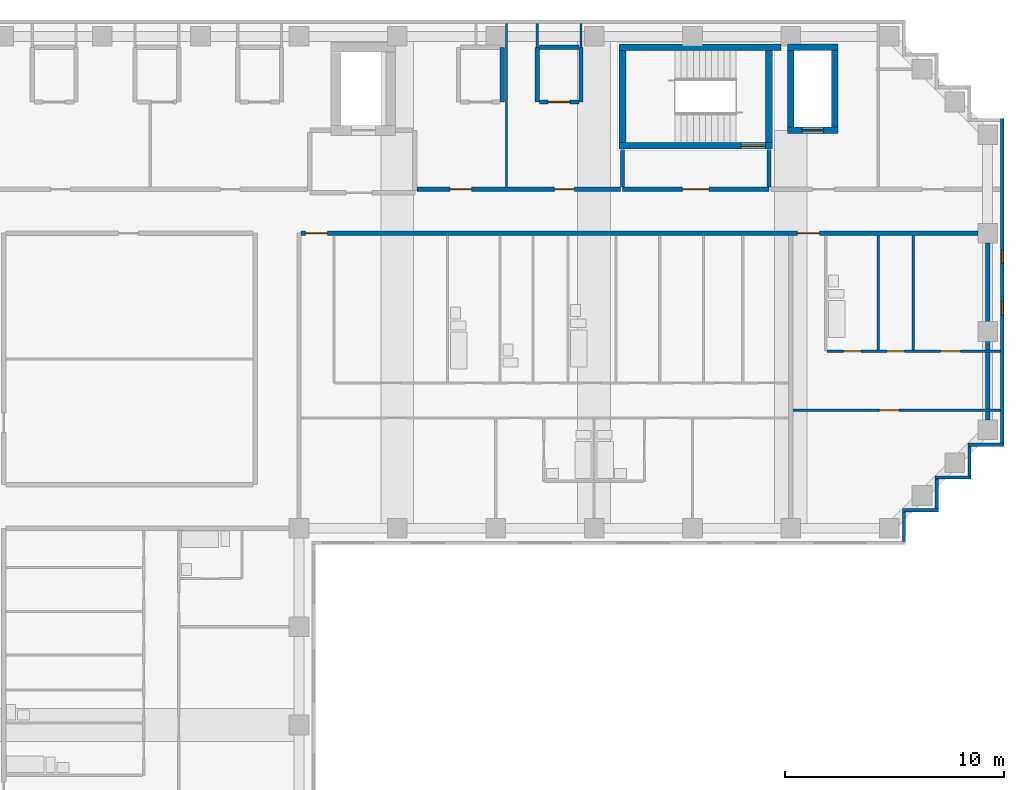
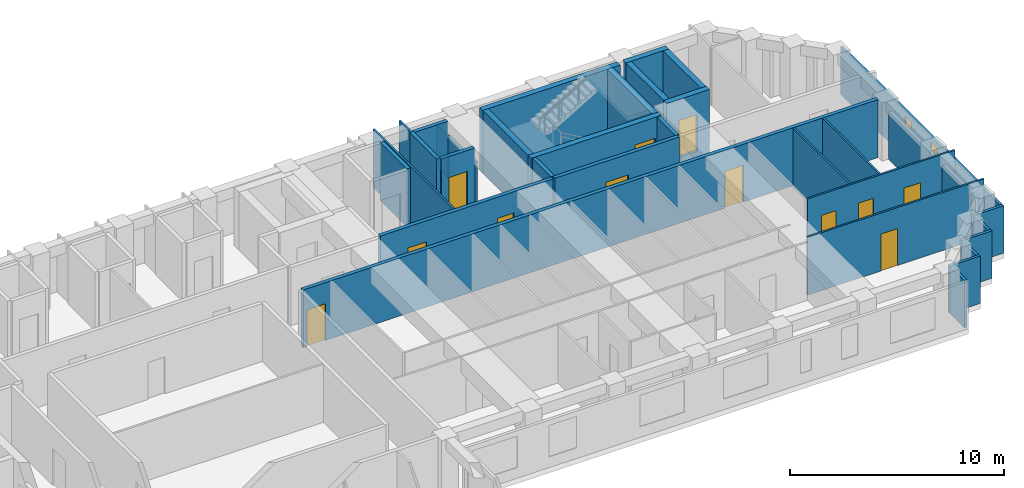
# One storey, part 7 of 10: 33 walls, 12 doors, 2 windows, 14 openings.
"""IFC4 building model written with IfcOpenShell, lengths in metres."""

from ifc_helpers import new_model, si_unit, direction, frame, frame_2d, origin, place, context, subcontext, project, spatial, rectangle, extrude, material, layer, layer_set, type_object, element, fill, save


model = new_model("IFC4")

# Units and contexts
model_context = context("Model", 3, precision=1e-05, world=origin(), true_north=direction((0.0, 1.0)))
body_context = subcontext(model_context, "Body", "Model", "MODEL_VIEW")
ifc_project = project(units=[si_unit("LENGTHUNIT", "METRE"), si_unit("AREAUNIT", "SQUARE_METRE"), si_unit("VOLUMEUNIT", "CUBIC_METRE"), si_unit("PLANEANGLEUNIT", "RADIAN"), si_unit("MASSUNIT", "GRAM", prefix="KILO")], contexts=[model_context])

# Site, building, storey
site_placement = place(None, origin())
site = spatial("IfcSite", under=ifc_project, at=site_placement, CompositionType="ELEMENT")
building_placement = place(site_placement, origin())
building = spatial("IfcBuilding", under=site, at=building_placement, Name="Firuza Court", CompositionType="ELEMENT")
storey_placement = place(building_placement, frame((0.0, 0.0, 197.0)))
storey = spatial("IfcBuildingStorey", under=building, at=storey_placement, Name="L50", CompositionType="ELEMENT", Elevation=197.0)

# Wall
ifc_material_1 = material(Name="Moisture-resistant gypsum board partition")
ifc_layer_1 = layer(ifc_material_1, 0.10009765625)
ifc_layer_set_1 = layer_set([ifc_layer_1], Name="Moisture-resistant gypsum board partition")
wall_type_1 = type_object("IfcWallType", Name="Bathroom partition 100", PredefinedType="PLUMBINGWALL", material=ifc_layer_set_1)
wall_1_placement = place(storey_placement, frame((49.0, 44.14990234375, 0.0), z_axis=(0.0, 0.0, 1.0), x_axis=(0.0, 1.0, 0.0)))
element("IfcWall", 1, at=wall_1_placement, inside=storey, type_object=wall_type_1, Name="Bathroom partition 100 L50", PredefinedType="PLUMBINGWALL", context=body_context, shape_type="SweptSolid", body=[
    extrude(rectangle(XDim=5.25, YDim=0.10009765625, at=frame_2d((2.625, 0.0))), origin(), (0.0, 0.0, 1.0), 3.300048828125),
])

# Wall, opening, door
ifc_material_2 = material(Name="Concrete C50/60", Category="concrete")
ifc_layer_2 = layer(ifc_material_2, 0.300048828125)
ifc_layer_set_2 = layer_set([ifc_layer_2], Name="Concrete C50/60")
wall_type_2 = type_object("IfcWallType", Name="Core wall 300 C50/60", PredefinedType="SHEAR", material=ifc_layer_set_2)
wall_2_placement = place(storey_placement, frame((37.14990234375, 53.5, -0.300048828125), z_axis=(0.0, 0.0, 1.0), x_axis=(1.0, 0.0, 0.0)))
wall_2 = element("IfcWall", 2, at=wall_2_placement, inside=storey, type_object=wall_type_2, Name="Core wall stair L50", PredefinedType="SHEAR", context=body_context, shape_type="SweptSolid", body=[
    extrude(rectangle(XDim=7.0, YDim=0.300048828125, at=frame_2d((3.5, 0.0))), origin(), (0.0, 0.0, 1.0), 3.60009765625),
])
opening_1_placement = place(wall_2_placement, frame((5.580078125, 0.0, 0.300048828125)))
opening_1 = element("IfcOpeningElement", 3, at=opening_1_placement, cuts=wall_2, Name="Opening D50011", PredefinedType="OPENING", context=body_context, shape_type="SweptSolid", body=[
    extrude(rectangle(XDim=1.10009765625, YDim=2.10009765625, at=frame_2d((0.550048828125, 1.050048828125))), frame((0.0, 0.162109375, 0.0), z_axis=(0.0, -1.0, 0.0), x_axis=(1.0, 0.0, 0.0)), (0.0, 0.0, 1.0), 0.323974609375),
])
ifc_material_3 = material(Name="Timber door leaf in hardwood frame", Category="wood")
door_type_1 = type_object("IfcDoorType", Name="Stair door 1100", OperationType="SINGLE_SWING_LEFT", PredefinedType="DOOR", material=ifc_material_3)
door_1_placement = place(opening_1_placement, origin())
door_1 = element("IfcDoor", 4, at=door_1_placement, inside=storey, type_object=door_type_1, Name="Stair door S1", OperationType="SINGLE_SWING_RIGHT", OverallHeight=2.10009765625, OverallWidth=1.10009765625, PredefinedType="DOOR", context=body_context, shape_type="SweptSolid", body=[
    extrude(rectangle(XDim=1.10009765625, YDim=2.10009765625, at=frame_2d((0.550048828125, 1.050048828125))), frame((0.0, 0.02490234375, 0.0), z_axis=(0.0, -1.0, 0.0), x_axis=(1.0, 0.0, 0.0)), (0.0, 0.0, 1.0), 0.050048828125),
])
fill(opening_1, door_1)

# Walls
wall_3_placement = place(storey_placement, frame((37.14990234375, 58.0, -0.300048828125), z_axis=(0.0, 0.0, 1.0), x_axis=(1.0, 0.0, 0.0)))
element("IfcWall", 5, at=wall_3_placement, inside=storey, type_object=wall_type_2, Name="Core wall stair L50", PredefinedType="SHEAR", context=body_context, shape_type="SweptSolid", body=[
    extrude(rectangle(XDim=7.400146484375, YDim=0.300048828125, at=frame_2d((3.7001953125, 0.0))), origin(), (0.0, 0.0, 1.0), 3.60009765625),
])
for number, where, z_axis, x_axis, name in (
    (6, (37.300048828125, 53.64990234375, -0.300048828125), (0.0, 0.0, 1.0), (0.0, 1.0, 0.0), "Core wall stair L50"),
    (7, (44.0, 53.64990234375, -0.300048828125), (0.0, 0.0, 1.0), (0.0, 1.0, 0.0), "Core wall stair L50"),
):
    element("IfcWall", number, at=place(storey_placement, frame(where, z_axis=z_axis, x_axis=x_axis)), inside=storey, type_object=wall_type_2, Name=name, PredefinedType="SHEAR", context=body_context, shape_type="SweptSolid", body=[
        extrude(rectangle(XDim=4.2001953125, YDim=0.300048828125, at=frame_2d((2.10009765625, 0.0))), origin(), (0.0, 0.0, 1.0), 3.60009765625),
    ])

# Wall, opening, door
wall_4_placement = place(storey_placement, frame((44.85009765625, 54.199951171875, -0.300048828125), z_axis=(0.0, 0.0, 1.0), x_axis=(1.0, 0.0, 0.0)))
wall_4 = element("IfcWall", 8, at=wall_4_placement, inside=storey, type_object=wall_type_2, Name="Core wall riser L50", PredefinedType="SHEAR", context=body_context, shape_type="SweptSolid", body=[
    extrude(rectangle(XDim=2.2998046875, YDim=0.300048828125, at=frame_2d((1.14990234375, 0.0))), origin(), (0.0, 0.0, 1.0), 3.60009765625),
])
opening_2_placement = place(wall_4_placement, frame((0.64990234375, 0.0, 0.300048828125)))
opening_2 = element("IfcOpeningElement", 9, at=opening_2_placement, cuts=wall_4, Name="Opening D50009", PredefinedType="OPENING", context=body_context, shape_type="SweptSolid", body=[
    extrude(rectangle(XDim=1.0, YDim=2.10009765625, at=frame_2d((0.5, 1.050048828125))), frame((0.0, 0.162109375, 0.0), z_axis=(0.0, -1.0, 0.0), x_axis=(1.0, 0.0, 0.0)), (0.0, 0.0, 1.0), 0.323974609375),
])
ifc_material_4 = material(Name="Timber door leaf in hardwood frame", Category="wood")
door_type_2 = type_object("IfcDoorType", Name="Riser door 1000", OperationType="SINGLE_SWING_LEFT", PredefinedType="DOOR", material=ifc_material_4)
door_2_placement = place(opening_2_placement, origin())
door_2 = element("IfcDoor", 10, at=door_2_placement, inside=storey, type_object=door_type_2, Name="Riser door R3", OperationType="SINGLE_SWING_LEFT", OverallHeight=2.10009765625, OverallWidth=1.0, PredefinedType="DOOR", context=body_context, shape_type="SweptSolid", body=[
    extrude(rectangle(XDim=1.0, YDim=2.10009765625, at=frame_2d((0.5, 1.050048828125))), frame((0.0, 0.02490234375, 0.0), z_axis=(0.0, -1.0, 0.0), x_axis=(1.0, 0.0, 0.0)), (0.0, 0.0, 1.0), 0.050048828125),
])
fill(opening_2, door_2)

# Walls
wall_5_placement = place(storey_placement, frame((44.85009765625, 58.0, -0.300048828125), z_axis=(0.0, 0.0, 1.0), x_axis=(1.0, 0.0, 0.0)))
element("IfcWall", 11, at=wall_5_placement, inside=storey, type_object=wall_type_2, Name="Core wall riser L50", PredefinedType="SHEAR", context=body_context, shape_type="SweptSolid", body=[
    extrude(rectangle(XDim=2.2998046875, YDim=0.300048828125, at=frame_2d((1.14990234375, 0.0))), origin(), (0.0, 0.0, 1.0), 3.60009765625),
])
for number, where, z_axis, x_axis, name in (
    (12, (45.0, 54.35009765625, -0.300048828125), (0.0, 0.0, 1.0), (0.0, 1.0, 0.0), "Core wall riser L50"),
    (13, (47.0, 54.35009765625, -0.300048828125), (0.0, 0.0, 1.0), (0.0, 1.0, 0.0), "Core wall riser L50"),
):
    element("IfcWall", number, at=place(storey_placement, frame(where, z_axis=z_axis, x_axis=x_axis)), inside=storey, type_object=wall_type_2, Name=name, PredefinedType="SHEAR", context=body_context, shape_type="SweptSolid", body=[
        extrude(rectangle(XDim=3.5, YDim=0.300048828125, at=frame_2d((1.75, 0.0))), origin(), (0.0, 0.0, 1.0), 3.60009765625),
    ])

# Wall, openings, doors
ifc_material_5 = material(Name="Blockwork, plastered both sides", Category="masonry")
ifc_layer_3 = layer(ifc_material_5, 0.199951171875)
ifc_layer_set_3 = layer_set([ifc_layer_3], Name="Blockwork, plastered both sides")
wall_type_3 = type_object("IfcWallType", Name="Corridor wall 200", PredefinedType="PARTITIONING", material=ifc_layer_set_3)
wall_6_placement = place(storey_placement, frame((22.60009765625, 49.5, 0.0), z_axis=(0.0, 0.0, 1.0), x_axis=(1.0, 0.0, 0.0)))
wall_6 = element("IfcWall", 14, at=wall_6_placement, inside=storey, type_object=wall_type_3, Name="Corridor wall 200 L50", PredefinedType="PARTITIONING", context=body_context, shape_type="SweptSolid", body=[
    extrude(rectangle(XDim=30.949951171875, YDim=0.199951171875, at=frame_2d((15.47509765625, 0.0))), origin(), (0.0, 0.0, 1.0), 3.300048828125),
])
opening_3_placement = place(wall_6_placement, frame((0.199951171875, 0.0, 0.0)))
opening_3 = element("IfcOpeningElement", 15, at=opening_3_placement, cuts=wall_6, Name="Opening D50057", PredefinedType="OPENING", context=body_context, shape_type="SweptSolid", body=[
    extrude(rectangle(XDim=1.0, YDim=2.10009765625, at=frame_2d((0.5, 1.050048828125))), frame((0.0, 0.11181640625, 0.0), z_axis=(0.0, -1.0, 0.0), x_axis=(1.0, 0.0, 0.0)), (0.0, 0.0, 1.0), 0.223876953125),
])
opening_4_placement = place(wall_6_placement, frame((22.699951171875, 0.0, 0.0)))
opening_4 = element("IfcOpeningElement", 16, at=opening_4_placement, cuts=wall_6, Name="Opening D50058", PredefinedType="OPENING", context=body_context, shape_type="SweptSolid", body=[
    extrude(rectangle(XDim=1.0, YDim=2.10009765625, at=frame_2d((0.5, 1.050048828125))), frame((0.0, 0.11181640625, 0.0), z_axis=(0.0, -1.0, 0.0), x_axis=(1.0, 0.0, 0.0)), (0.0, 0.0, 1.0), 0.223876953125),
])
ifc_material_6 = material(Name="Timber door leaf in hardwood frame", Category="wood")
door_type_3 = type_object("IfcDoorType", Name="Flat entrance door 1000", OperationType="SINGLE_SWING_LEFT", PredefinedType="DOOR", material=ifc_material_6)
door_3_placement = place(opening_3_placement, origin())
door_3 = element("IfcDoor", 17, at=door_3_placement, inside=storey, type_object=door_type_3, Name="Flat entrance door", OperationType="SINGLE_SWING_LEFT", OverallHeight=2.10009765625, OverallWidth=1.0, PredefinedType="DOOR", context=body_context, shape_type="SweptSolid", body=[
    extrude(rectangle(XDim=1.0, YDim=2.10009765625, at=frame_2d((0.5, 1.050048828125))), frame((0.0, 0.02490234375, 0.0), z_axis=(0.0, -1.0, 0.0), x_axis=(1.0, 0.0, 0.0)), (0.0, 0.0, 1.0), 0.050048828125),
])
fill(opening_3, door_3)
door_4_placement = place(opening_4_placement, origin())
door_4 = element("IfcDoor", 18, at=door_4_placement, inside=storey, type_object=door_type_3, Name="Flat entrance door", OperationType="SINGLE_SWING_LEFT", OverallHeight=2.10009765625, OverallWidth=1.0, PredefinedType="DOOR", context=body_context, shape_type="SweptSolid", body=[
    extrude(rectangle(XDim=1.0, YDim=2.10009765625, at=frame_2d((0.5, 1.050048828125))), frame((0.0, 0.02490234375, 0.0), z_axis=(0.0, -1.0, 0.0), x_axis=(1.0, 0.0, 0.0)), (0.0, 0.0, 1.0), 0.050048828125),
])
fill(opening_4, door_4)

wall_7_placement = place(storey_placement, frame((27.89990234375, 51.5, 0.0), z_axis=(0.0, 0.0, 1.0), x_axis=(1.0, 0.0, 0.0)))
wall_7 = element("IfcWall", 19, at=wall_7_placement, inside=storey, type_object=wall_type_3, Name="Corridor wall 200 L50", PredefinedType="PARTITIONING", context=body_context, shape_type="SweptSolid", body=[
    extrude(rectangle(XDim=9.300048828125, YDim=0.199951171875, at=frame_2d((4.64990234375, 0.0))), origin(), (0.0, 0.0, 1.0), 3.300048828125),
])
opening_5_placement = place(wall_7_placement, frame((1.5, 0.0, 0.0)))
opening_5 = element("IfcOpeningElement", 20, at=opening_5_placement, cuts=wall_7, Name="Opening D50061", PredefinedType="OPENING", context=body_context, shape_type="SweptSolid", body=[
    extrude(rectangle(XDim=1.0, YDim=2.10009765625, at=frame_2d((0.5, 1.050048828125))), frame((0.0, 0.11181640625, 0.0), z_axis=(0.0, -1.0, 0.0), x_axis=(1.0, 0.0, 0.0)), (0.0, 0.0, 1.0), 0.223876953125),
])
opening_6_placement = place(wall_7_placement, frame((6.300048828125, 0.0, 0.0)))
opening_6 = element("IfcOpeningElement", 21, at=opening_6_placement, cuts=wall_7, Name="Opening D50062", PredefinedType="OPENING", context=body_context, shape_type="SweptSolid", body=[
    extrude(rectangle(XDim=0.89990234375, YDim=2.10009765625, at=frame_2d((0.449951171875, 1.050048828125))), frame((0.0, 0.11181640625, 0.0), z_axis=(0.0, -1.0, 0.0), x_axis=(1.0, 0.0, 0.0)), (0.0, 0.0, 1.0), 0.223876953125),
])
ifc_material_7 = material(Name="Timber door leaf in hardwood frame", Category="wood")
door_type_4 = type_object("IfcDoorType", Name="Room door 900 EI 30", OperationType="SINGLE_SWING_LEFT", PredefinedType="DOOR", material=ifc_material_7)
door_5_placement = place(opening_6_placement, origin())
door_5 = element("IfcDoor", 22, at=door_5_placement, inside=storey, type_object=door_type_4, Name="Concierge room door", OperationType="SINGLE_SWING_LEFT", OverallHeight=2.10009765625, OverallWidth=0.89990234375, PredefinedType="DOOR", context=body_context, shape_type="SweptSolid", body=[
    extrude(rectangle(XDim=0.89990234375, YDim=2.10009765625, at=frame_2d((0.449951171875, 1.050048828125))), frame((0.0, 0.02490234375, 0.0), z_axis=(0.0, -1.0, 0.0), x_axis=(1.0, 0.0, 0.0)), (0.0, 0.0, 1.0), 0.050048828125),
])
fill(opening_6, door_5)
ifc_material_8 = material(Name="Timber door leaf in hardwood frame", Category="wood")
door_type_5 = type_object("IfcDoorType", Name="Store door 1000", OperationType="SINGLE_SWING_LEFT", PredefinedType="DOOR", material=ifc_material_8)
door_6_placement = place(opening_5_placement, origin())
door_6 = element("IfcDoor", 23, at=door_6_placement, inside=storey, type_object=door_type_5, Name="Cleaner's store door", OperationType="SINGLE_SWING_LEFT", OverallHeight=2.10009765625, OverallWidth=1.0, PredefinedType="DOOR", context=body_context, shape_type="SweptSolid", body=[
    extrude(rectangle(XDim=1.0, YDim=2.10009765625, at=frame_2d((0.5, 1.050048828125))), frame((0.0, 0.02490234375, 0.0), z_axis=(0.0, -1.0, 0.0), x_axis=(1.0, 0.0, 0.0)), (0.0, 0.0, 1.0), 0.050048828125),
])
fill(opening_5, door_6)

# Wall, opening, door
ifc_material_9 = material(Name="Timber stud partition, plasterboard both sides", Category="wood")
ifc_layer_4 = layer(ifc_material_9, 0.10009765625)
ifc_layer_set_4 = layer_set([ifc_layer_4], Name="Timber stud partition, plasterboard both sides")
wall_type_4 = type_object("IfcWallType", Name="Partition wall 100", PredefinedType="PARTITIONING", material=ifc_layer_set_4)
wall_8_placement = place(storey_placement, frame((45.10009765625, 41.39990234375, 0.0), z_axis=(0.0, 0.0, 1.0), x_axis=(1.0, 0.0, 0.0)))
wall_8 = element("IfcWall", 24, at=wall_8_placement, inside=storey, type_object=wall_type_4, Name="Partition wall 100 L50", PredefinedType="PARTITIONING", context=body_context, shape_type="SweptSolid", body=[
    extrude(rectangle(XDim=9.5, YDim=0.10009765625, at=frame_2d((4.75, 0.0))), origin(), (0.0, 0.0, 1.0), 3.300048828125),
])
opening_7_placement = place(wall_8_placement, frame((3.949951171875, 0.0, 0.0)))
opening_7 = element("IfcOpeningElement", 25, at=opening_7_placement, cuts=wall_8, Name="Opening D50043", PredefinedType="OPENING", context=body_context, shape_type="SweptSolid", body=[
    extrude(rectangle(XDim=0.89990234375, YDim=2.10009765625, at=frame_2d((0.449951171875, 1.050048828125))), frame((0.0, 0.06201171875, 0.0), z_axis=(0.0, -1.0, 0.0), x_axis=(1.0, 0.0, 0.0)), (0.0, 0.0, 1.0), 0.1240234375),
])
ifc_material_10 = material(Name="Timber door leaf in hardwood frame", Category="wood")
door_type_6 = type_object("IfcDoorType", Name="Room door 900", OperationType="SINGLE_SWING_LEFT", PredefinedType="DOOR", material=ifc_material_10)
door_7_placement = place(opening_7_placement, frame((0.89990234375, 0.0, 0.0), z_axis=(0.0, 0.0, 1.0), x_axis=(-1.0, 0.0, 0.0)))
door_7 = element("IfcDoor", 26, at=door_7_placement, inside=storey, type_object=door_type_6, Name="Studio room door", OperationType="SINGLE_SWING_RIGHT", OverallHeight=2.10009765625, OverallWidth=0.89990234375, PredefinedType="DOOR", context=body_context, shape_type="SweptSolid", body=[
    extrude(rectangle(XDim=0.89990234375, YDim=2.10009765625, at=frame_2d((0.449951171875, 1.050048828125))), frame((0.0, 0.02490234375, 0.0), z_axis=(0.0, -1.0, 0.0), x_axis=(1.0, 0.0, 0.0)), (0.0, 0.0, 1.0), 0.050048828125),
])
fill(opening_7, door_7)

# Wall, openings, doors
wall_9_placement = place(storey_placement, frame((46.64990234375, 44.10009765625, 0.0), z_axis=(0.0, 0.0, 1.0), x_axis=(1.0, 0.0, 0.0)))
wall_9 = element("IfcWall", 27, at=wall_9_placement, inside=storey, type_object=wall_type_4, Name="Partition wall 100 L50", PredefinedType="PARTITIONING", context=body_context, shape_type="SweptSolid", body=[
    extrude(rectangle(XDim=7.9501953125, YDim=0.10009765625, at=frame_2d((3.97509765625, 0.0))), origin(), (0.0, 0.0, 1.0), 3.300048828125),
])
opening_8_placement = place(wall_9_placement, frame((0.75, 0.0, 0.0)))
opening_8 = element("IfcOpeningElement", 28, at=opening_8_placement, cuts=wall_9, Name="Opening D50053", PredefinedType="OPENING", context=body_context, shape_type="SweptSolid", body=[
    extrude(rectangle(XDim=0.800048828125, YDim=2.10009765625, at=frame_2d((0.39990234375, 1.050048828125))), frame((0.0, 0.06201171875, 0.0), z_axis=(0.0, -1.0, 0.0), x_axis=(1.0, 0.0, 0.0)), (0.0, 0.0, 1.0), 0.1240234375),
])
opening_9_placement = place(wall_9_placement, frame((5.199951171875, 0.0, 0.0)))
opening_9 = element("IfcOpeningElement", 29, at=opening_9_placement, cuts=wall_9, Name="Opening D50054", PredefinedType="OPENING", context=body_context, shape_type="SweptSolid", body=[
    extrude(rectangle(XDim=0.89990234375, YDim=2.10009765625, at=frame_2d((0.449951171875, 1.050048828125))), frame((0.0, 0.06201171875, 0.0), z_axis=(0.0, -1.0, 0.0), x_axis=(1.0, 0.0, 0.0)), (0.0, 0.0, 1.0), 0.1240234375),
])
opening_10_placement = place(wall_9_placement, frame((2.75, 0.0, 0.0)))
opening_10 = element("IfcOpeningElement", 30, at=opening_10_placement, cuts=wall_9, Name="Opening D50055", PredefinedType="OPENING", context=body_context, shape_type="SweptSolid", body=[
    extrude(rectangle(XDim=0.800048828125, YDim=2.10009765625, at=frame_2d((0.39990234375, 1.050048828125))), frame((0.0, 0.06201171875, 0.0), z_axis=(0.0, -1.0, 0.0), x_axis=(1.0, 0.0, 0.0)), (0.0, 0.0, 1.0), 0.1240234375),
])
ifc_material_11 = material(Name="Timber door leaf in hardwood frame", Category="wood")
door_type_7 = type_object("IfcDoorType", Name="Bathroom door 800", OperationType="SINGLE_SWING_LEFT", PredefinedType="DOOR", material=ifc_material_11)
door_8_placement = place(opening_8_placement, origin())
door_8 = element("IfcDoor", 31, at=door_8_placement, inside=storey, type_object=door_type_7, Name="Bathroom door", OperationType="SINGLE_SWING_LEFT", OverallHeight=2.10009765625, OverallWidth=0.800048828125, PredefinedType="DOOR", context=body_context, shape_type="SweptSolid", body=[
    extrude(rectangle(XDim=0.800048828125, YDim=2.10009765625, at=frame_2d((0.39990234375, 1.050048828125))), frame((0.0, 0.02490234375, 0.0), z_axis=(0.0, -1.0, 0.0), x_axis=(1.0, 0.0, 0.0)), (0.0, 0.0, 1.0), 0.050048828125),
])
fill(opening_8, door_8)
ifc_material_12 = material(Name="Timber door leaf in hardwood frame", Category="wood")
door_type_8 = type_object("IfcDoorType", Name="Room door 800", OperationType="SINGLE_SWING_LEFT", PredefinedType="DOOR", material=ifc_material_12)
door_9_placement = place(opening_10_placement, origin())
door_9 = element("IfcDoor", 32, at=door_9_placement, inside=storey, type_object=door_type_8, Name="Store door", OperationType="SINGLE_SWING_LEFT", OverallHeight=2.10009765625, OverallWidth=0.800048828125, PredefinedType="DOOR", context=body_context, shape_type="SweptSolid", body=[
    extrude(rectangle(XDim=0.800048828125, YDim=2.10009765625, at=frame_2d((0.39990234375, 1.050048828125))), frame((0.0, 0.02490234375, 0.0), z_axis=(0.0, -1.0, 0.0), x_axis=(1.0, 0.0, 0.0)), (0.0, 0.0, 1.0), 0.050048828125),
])
fill(opening_10, door_9)
door_10_placement = place(opening_9_placement, origin())
door_10 = element("IfcDoor", 33, at=door_10_placement, inside=storey, type_object=door_type_6, Name="Kitchen door", OperationType="SINGLE_SWING_LEFT", OverallHeight=2.10009765625, OverallWidth=0.89990234375, PredefinedType="DOOR", context=body_context, shape_type="SweptSolid", body=[
    extrude(rectangle(XDim=0.89990234375, YDim=2.10009765625, at=frame_2d((0.449951171875, 1.050048828125))), frame((0.0, 0.02490234375, 0.0), z_axis=(0.0, -1.0, 0.0), x_axis=(1.0, 0.0, 0.0)), (0.0, 0.0, 1.0), 0.050048828125),
])
fill(opening_9, door_10)

# Walls
wall_10_placement = place(storey_placement, frame((50.60009765625, 44.14990234375, 0.0), z_axis=(0.0, 0.0, 1.0), x_axis=(0.0, 1.0, 0.0)))
element("IfcWall", 34, at=wall_10_placement, inside=storey, type_object=wall_type_4, Name="Partition wall 100 L50", PredefinedType="PARTITIONING", context=body_context, shape_type="SweptSolid", body=[
    extrude(rectangle(XDim=5.25, YDim=0.10009765625, at=frame_2d((2.625, 0.0))), origin(), (0.0, 0.0, 1.0), 3.300048828125),
])
wall_11_placement = place(storey_placement, frame((32.0, 51.60009765625, 0.0), z_axis=(0.0, 0.0, 1.0), x_axis=(0.0, 1.0, 0.0)))
element("IfcWall", 35, at=wall_11_placement, inside=storey, type_object=wall_type_4, Name="Partition wall 100 L50", PredefinedType="PARTITIONING", context=body_context, shape_type="SweptSolid", body=[
    extrude(rectangle(XDim=7.5, YDim=0.10009765625, at=frame_2d((3.75, 0.0))), origin(), (0.0, 0.0, 1.0), 3.300048828125),
])
wall_12_placement = place(storey_placement, frame((33.39990234375, 58.0, 0.0), z_axis=(0.0, 0.0, 1.0), x_axis=(0.0, 1.0, 0.0)))
element("IfcWall", 36, at=wall_12_placement, inside=storey, type_object=wall_type_4, Name="Partition wall 100 L50", PredefinedType="PARTITIONING", context=body_context, shape_type="SweptSolid", body=[
    extrude(rectangle(XDim=1.10009765625, YDim=0.10009765625, at=frame_2d((0.550048828125, 0.0))), origin(), (0.0, 0.0, 1.0), 3.300048828125),
])
wall_13_placement = place(storey_placement, frame((35.39990234375, 58.0, 0.0), z_axis=(0.0, 0.0, 1.0), x_axis=(0.0, 1.0, 0.0)))
element("IfcWall", 37, at=wall_13_placement, inside=storey, type_object=wall_type_4, Name="Partition wall 100 L50", PredefinedType="PARTITIONING", context=body_context, shape_type="SweptSolid", body=[
    extrude(rectangle(XDim=1.10009765625, YDim=0.10009765625, at=frame_2d((0.550048828125, 0.0))), origin(), (0.0, 0.0, 1.0), 2.39990234375),
])
ifc_layer_5 = layer(ifc_material_5, 0.199951171875)
ifc_layer_set_5 = layer_set([ifc_layer_5], Name="Blockwork, plastered both sides")
wall_type_5 = type_object("IfcWallType", Name="Party wall 200", PredefinedType="PARTITIONING", material=ifc_layer_set_5)
wall_14_placement = place(storey_placement, frame((54.0, 40.949951171875, 0.0), z_axis=(0.0, 0.0, 1.0), x_axis=(0.0, 1.0, 0.0)))
element("IfcWall", 38, at=wall_14_placement, inside=storey, type_object=wall_type_5, Name="Party wall 200 L50", PredefinedType="PARTITIONING", context=body_context, shape_type="SweptSolid", body=[
    extrude(rectangle(XDim=8.10009765625, YDim=0.199951171875, at=frame_2d((4.050048828125, 0.0))), origin(), (0.0, 0.0, 1.0), 2.699951171875),
])
ifc_material_13 = material(Name="Blockwork, fire-rated", Category="masonry")
ifc_layer_6 = layer(ifc_material_13, 0.199951171875)
ifc_layer_set_6 = layer_set([ifc_layer_6], Name="Blockwork, fire-rated")
wall_type_6 = type_object("IfcWallType", Name="Plant room wall 200", PredefinedType="PARTITIONING", material=ifc_layer_set_6)
for number, where, z_axis, x_axis, name in (
    (39, (31.800048828125, 55.5, 0.0), (0.0, 0.0, 1.0), (0.0, 1.0, 0.0), "Plant room wall 200 L50"),
    (40, (33.39990234375, 55.5, 0.0), (0.0, 0.0, 1.0), (0.0, 1.0, 0.0), "Plant room wall 200 L50"),
):
    element("IfcWall", number, at=place(storey_placement, frame(where, z_axis=z_axis, x_axis=x_axis)), inside=storey, type_object=wall_type_6, Name=name, PredefinedType="PARTITIONING", context=body_context, shape_type="SweptSolid", body=[
        extrude(rectangle(XDim=2.5, YDim=0.199951171875, at=frame_2d((1.25, 0.0))), origin(), (0.0, 0.0, 1.0), 3.300048828125),
    ])

# Wall, opening, door
wall_15_placement = place(storey_placement, frame((33.5, 55.5, 0.0), z_axis=(0.0, 0.0, 1.0), x_axis=(1.0, 0.0, 0.0)))
wall_15 = element("IfcWall", 41, at=wall_15_placement, inside=storey, type_object=wall_type_6, Name="Plant room wall 200 L50", PredefinedType="PARTITIONING", context=body_context, shape_type="SweptSolid", body=[
    extrude(rectangle(XDim=1.800048828125, YDim=0.199951171875, at=frame_2d((0.89990234375, 0.0))), origin(), (0.0, 0.0, 1.0), 3.300048828125),
])
opening_11_placement = place(wall_15_placement, frame((0.39990234375, 0.0, 0.0)))
opening_11 = element("IfcOpeningElement", 42, at=opening_11_placement, cuts=wall_15, Name="Opening D50069", PredefinedType="OPENING", context=body_context, shape_type="SweptSolid", body=[
    extrude(rectangle(XDim=1.0, YDim=2.10009765625, at=frame_2d((0.5, 1.050048828125))), frame((0.0, 0.11181640625, 0.0), z_axis=(0.0, -1.0, 0.0), x_axis=(1.0, 0.0, 0.0)), (0.0, 0.0, 1.0), 0.223876953125),
])
door_11_placement = place(opening_11_placement, origin())
door_11 = element("IfcDoor", 43, at=door_11_placement, inside=storey, type_object=door_type_2, Name="Duct riser door", OperationType="SINGLE_SWING_LEFT", OverallHeight=2.10009765625, OverallWidth=1.0, PredefinedType="DOOR", context=body_context, shape_type="SweptSolid", body=[
    extrude(rectangle(XDim=1.0, YDim=2.10009765625, at=frame_2d((0.5, 1.050048828125))), frame((0.0, 0.02490234375, 0.0), z_axis=(0.0, -1.0, 0.0), x_axis=(1.0, 0.0, 0.0)), (0.0, 0.0, 1.0), 0.050048828125),
])
fill(opening_11, door_11)

# Walls
wall_16_placement = place(storey_placement, frame((35.39990234375, 55.5, 0.0), z_axis=(0.0, 0.0, 1.0), x_axis=(0.0, 1.0, 0.0)))
element("IfcWall", 44, at=wall_16_placement, inside=storey, type_object=wall_type_6, Name="Plant room wall 200 L50", PredefinedType="PARTITIONING", context=body_context, shape_type="SweptSolid", body=[
    extrude(rectangle(XDim=2.5, YDim=0.199951171875, at=frame_2d((1.25, 0.0))), origin(), (0.0, 0.0, 1.0), 2.39990234375),
])
wall_17_placement = place(storey_placement, frame((33.5, 58.0, 0.0), z_axis=(0.0, 0.0, 1.0), x_axis=(1.0, 0.0, 0.0)))
element("IfcWall", 45, at=wall_17_placement, inside=storey, type_object=wall_type_6, Name="Plant room wall 200 L50", PredefinedType="PARTITIONING", context=body_context, shape_type="SweptSolid", body=[
    extrude(rectangle(XDim=1.800048828125, YDim=0.199951171875, at=frame_2d((0.89990234375, 0.0))), origin(), (0.0, 0.0, 1.0), 3.300048828125),
])
ifc_material_14 = material(Name="Ceramic tile", Category="ceramic")
ifc_layer_7 = layer(ifc_material_14, 0.02001953125)
ifc_material_15 = material(Name="Mineral wool insulation", Category="insulation")
ifc_layer_8 = layer(ifc_material_15, 0.050048828125)
ifc_material_16 = material(Name="Concrete C40/50 precast", Category="concrete")
ifc_layer_9 = layer(ifc_material_16, 0.080078125)
ifc_layer_set_7 = layer_set([ifc_layer_7, ifc_layer_8, ifc_layer_9], Name="Concrete C40/50 precast")
wall_type_7 = type_object("IfcWallType", Name="Precast cladding wall with turquoise TILE PANEL face 150", PredefinedType="STANDARD", material=ifc_layer_set_7)
wall_18_placement = place(storey_placement, frame((50.175048828125, 35.39990234375, 0.0), z_axis=(0.0, 0.0, 1.0), x_axis=(0.0, 1.0, 0.0)))
element("IfcWall", 46, at=wall_18_placement, inside=storey, type_object=wall_type_7, Name="Facade wall L50 E", PredefinedType="STANDARD", context=body_context, shape_type="SweptSolid", body=[
    extrude(rectangle(XDim=1.35009765625, YDim=0.14990234375, at=frame_2d((0.675048828125, 0.0))), origin(), (0.0, 0.0, 1.0), 2.699951171875),
])
wall_19_placement = place(storey_placement, frame((50.10009765625, 36.824951171875, 0.0), z_axis=(0.0, 0.0, 1.0), x_axis=(1.0, 0.0, 0.0)))
element("IfcWall", 47, at=wall_19_placement, inside=storey, type_object=wall_type_7, Name="Facade wall L50 S", PredefinedType="STANDARD", context=body_context, shape_type="SweptSolid", body=[
    extrude(rectangle(XDim=1.64990234375, YDim=0.14990234375, at=frame_2d((0.824951171875, 0.0))), origin(), (0.0, 0.0, 1.0), 2.699951171875),
])
wall_20_placement = place(storey_placement, frame((51.675048828125, 36.89990234375, 0.0), z_axis=(0.0, 0.0, 1.0), x_axis=(0.0, 1.0, 0.0)))
element("IfcWall", 48, at=wall_20_placement, inside=storey, type_object=wall_type_7, Name="Facade wall L50 E", PredefinedType="STANDARD", context=body_context, shape_type="SweptSolid", body=[
    extrude(rectangle(XDim=1.35009765625, YDim=0.14990234375, at=frame_2d((0.675048828125, 0.0))), origin(), (0.0, 0.0, 1.0), 2.699951171875),
])
wall_21_placement = place(storey_placement, frame((51.60009765625, 38.324951171875, 0.0), z_axis=(0.0, 0.0, 1.0), x_axis=(1.0, 0.0, 0.0)))
element("IfcWall", 49, at=wall_21_placement, inside=storey, type_object=wall_type_7, Name="Facade wall L50 S", PredefinedType="STANDARD", context=body_context, shape_type="SweptSolid", body=[
    extrude(rectangle(XDim=1.64990234375, YDim=0.14990234375, at=frame_2d((0.824951171875, 0.0))), origin(), (0.0, 0.0, 1.0), 2.699951171875),
])
wall_22_placement = place(storey_placement, frame((53.175048828125, 38.39990234375, 0.0), z_axis=(0.0, 0.0, 1.0), x_axis=(0.0, 1.0, 0.0)))
element("IfcWall", 50, at=wall_22_placement, inside=storey, type_object=wall_type_7, Name="Facade wall L50 E", PredefinedType="STANDARD", context=body_context, shape_type="SweptSolid", body=[
    extrude(rectangle(XDim=1.35009765625, YDim=0.14990234375, at=frame_2d((0.675048828125, 0.0))), origin(), (0.0, 0.0, 1.0), 2.699951171875),
])
wall_23_placement = place(storey_placement, frame((53.10009765625, 39.824951171875, 0.0), z_axis=(0.0, 0.0, 1.0), x_axis=(1.0, 0.0, 0.0)))
element("IfcWall", 51, at=wall_23_placement, inside=storey, type_object=wall_type_7, Name="Facade wall L50 S", PredefinedType="STANDARD", context=body_context, shape_type="SweptSolid", body=[
    extrude(rectangle(XDim=1.64990234375, YDim=0.14990234375, at=frame_2d((0.824951171875, 0.0))), origin(), (0.0, 0.0, 1.0), 2.699951171875),
])

# Wall, openings, windows
wall_24_placement = place(storey_placement, frame((54.675048828125, 39.89990234375, 0.0), z_axis=(0.0, 0.0, 1.0), x_axis=(0.0, 1.0, 0.0)))
wall_24 = element("IfcWall", 52, at=wall_24_placement, inside=storey, type_object=wall_type_7, Name="Facade wall L50 E", PredefinedType="STANDARD", context=body_context, shape_type="SweptSolid", body=[
    extrude(rectangle(XDim=14.85009765625, YDim=0.14990234375, at=frame_2d((7.425048828125, 0.0))), origin(), (0.0, 0.0, 1.0), 2.699951171875),
])
opening_12_placement = place(wall_24_placement, frame((5.84765625, 0.0, 0.60009765625)))
opening_12 = element("IfcOpeningElement", 53, at=opening_12_placement, cuts=wall_24, Name="Opening W4", PredefinedType="OPENING", context=body_context, shape_type="SweptSolid", body=[
    extrude(rectangle(XDim=0.60009765625, YDim=1.800048828125, at=frame_2d((0.300048828125, 0.89990234375))), frame((0.0, 0.0869140625, 0.0), z_axis=(0.0, -1.0, 0.0), x_axis=(1.0, 0.0, 0.0)), (0.0, 0.0, 1.0), 0.173828125),
])
opening_13_placement = place(wall_24_placement, frame((8.2255859375, 0.0, 0.60009765625)))
opening_13 = element("IfcOpeningElement", 54, at=opening_13_placement, cuts=wall_24, Name="Opening W4", PredefinedType="OPENING", context=body_context, shape_type="SweptSolid", body=[
    extrude(rectangle(XDim=0.60009765625, YDim=1.800048828125, at=frame_2d((0.300048828125, 0.89990234375))), frame((0.0, 0.0869140625, 0.0), z_axis=(0.0, -1.0, 0.0), x_axis=(1.0, 0.0, 0.0)), (0.0, 0.0, 1.0), 0.173828125),
])
ifc_material_17 = material(Name="Aluminium frame, triple clear glazing", Category="aluminium")
window_type = type_object("IfcWindowType", Name="Window W4 600 x 1800", PartitioningType="SINGLE_PANEL", PredefinedType="WINDOW", material=ifc_material_17)
window_1_placement = place(opening_12_placement, origin())
window_1 = element("IfcWindow", 55, at=window_1_placement, inside=storey, type_object=window_type, Name="Window L50", OverallHeight=1.800048828125, OverallWidth=0.60009765625, PartitioningType="SINGLE_PANEL", PredefinedType="WINDOW", context=body_context, shape_type="SweptSolid", body=[
    extrude(rectangle(XDim=0.60009765625, YDim=1.800048828125, at=frame_2d((0.300048828125, 0.89990234375))), frame((0.0, 0.030029296875, 0.0), z_axis=(0.0, -1.0, 0.0), x_axis=(1.0, 0.0, 0.0)), (0.0, 0.0, 1.0), 0.06005859375),
])
fill(opening_12, window_1)
window_2_placement = place(opening_13_placement, origin())
window_2 = element("IfcWindow", 56, at=window_2_placement, inside=storey, type_object=window_type, Name="Window L50", OverallHeight=1.800048828125, OverallWidth=0.60009765625, PartitioningType="SINGLE_PANEL", PredefinedType="WINDOW", context=body_context, shape_type="SweptSolid", body=[
    extrude(rectangle(XDim=0.60009765625, YDim=1.800048828125, at=frame_2d((0.300048828125, 0.89990234375))), frame((0.0, 0.030029296875, 0.0), z_axis=(0.0, -1.0, 0.0), x_axis=(1.0, 0.0, 0.0)), (0.0, 0.0, 1.0), 0.06005859375),
])
fill(opening_13, window_2)

# Wall, opening, door
ifc_layer_10 = layer(ifc_material_13, 0.199951171875)
ifc_layer_set_8 = layer_set([ifc_layer_10], Name="Blockwork, fire-rated")
wall_type_8 = type_object("IfcWallType", Name="Shaft wall 200", PredefinedType="PARTITIONING", material=ifc_layer_set_8)
wall_25_placement = place(storey_placement, frame((37.300048828125, 51.5, 0.0), z_axis=(0.0, 0.0, 1.0), x_axis=(1.0, 0.0, 0.0)))
wall_25 = element("IfcWall", 57, at=wall_25_placement, inside=storey, type_object=wall_type_8, Name="Shaft wall 200 L50", PredefinedType="PARTITIONING", context=body_context, shape_type="SweptSolid", body=[
    extrude(rectangle(XDim=6.699951171875, YDim=0.199951171875, at=frame_2d((3.35009765625, 0.0))), origin(), (0.0, 0.0, 1.0), 3.300048828125),
])
opening_14_placement = place(wall_25_placement, frame((2.75, 0.0, 0.0)))
opening_14 = element("IfcOpeningElement", 58, at=opening_14_placement, cuts=wall_25, Name="Opening D50006", PredefinedType="OPENING", context=body_context, shape_type="SweptSolid", body=[
    extrude(rectangle(XDim=1.199951171875, YDim=2.10009765625, at=frame_2d((0.60009765625, 1.050048828125))), frame((0.0, 0.11181640625, 0.0), z_axis=(0.0, -1.0, 0.0), x_axis=(1.0, 0.0, 0.0)), (0.0, 0.0, 1.0), 0.223876953125),
])
ifc_material_18 = material(Name="Timber door leaf in hardwood frame", Category="wood")
door_type_9 = type_object("IfcDoorType", Name="Lobby door 1200", OperationType="SINGLE_SWING_LEFT", PredefinedType="DOOR", material=ifc_material_18)
door_12_placement = place(opening_14_placement, origin())
door_12 = element("IfcDoor", 59, at=door_12_placement, inside=storey, type_object=door_type_9, Name="Lobby door", OperationType="SINGLE_SWING_LEFT", OverallHeight=2.10009765625, OverallWidth=1.199951171875, PredefinedType="DOOR", context=body_context, shape_type="SweptSolid", body=[
    extrude(rectangle(XDim=1.199951171875, YDim=2.10009765625, at=frame_2d((0.60009765625, 1.050048828125))), frame((0.0, 0.02490234375, 0.0), z_axis=(0.0, -1.0, 0.0), x_axis=(1.0, 0.0, 0.0)), (0.0, 0.0, 1.0), 0.050048828125),
])
fill(opening_14, door_12)

# Walls
for number, where, z_axis, x_axis, name in (
    (60, (44.0, 51.60009765625, 0.0), (0.0, 0.0, 1.0), (0.0, 1.0, 0.0), "Shaft wall 200 L50"),
    (61, (37.300048828125, 51.60009765625, 0.0), (0.0, 0.0, 1.0), (0.0, 1.0, 0.0), "Shaft wall 200 L50"),
):
    element("IfcWall", number, at=place(storey_placement, frame(where, z_axis=z_axis, x_axis=x_axis)), inside=storey, type_object=wall_type_8, Name=name, PredefinedType="PARTITIONING", context=body_context, shape_type="SweptSolid", body=[
        extrude(rectangle(XDim=1.72998046875, YDim=0.199951171875, at=frame_2d((0.864990234375, 0.0))), origin(), (0.0, 0.0, 1.0), 3.300048828125),
    ])

save(model, "model.ifc")
